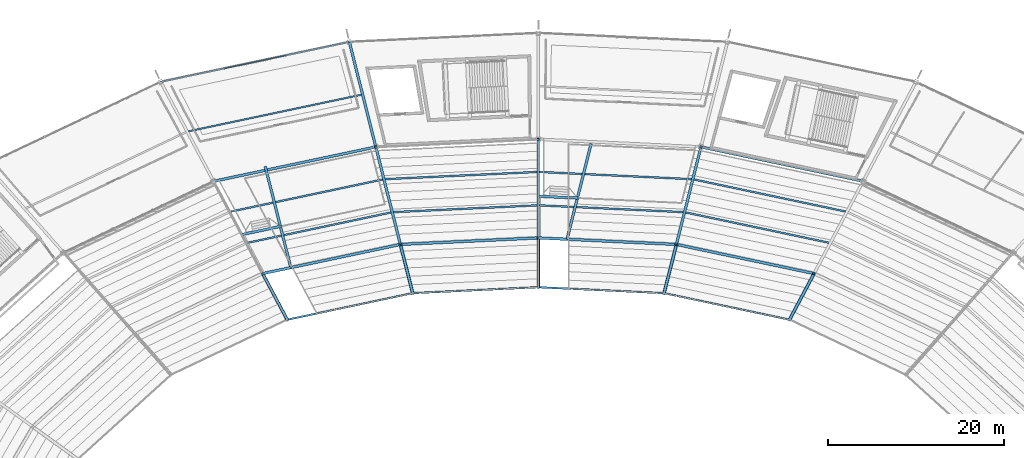
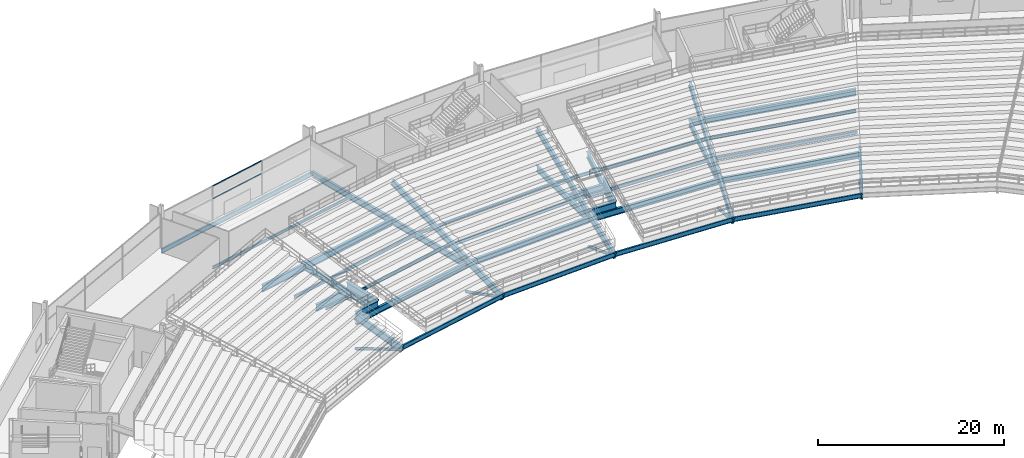
# One storey, part 95 of 186: 40 beams, 7 members, 1 element without a shape of its own.
"""IFC4 building model written with IfcOpenShell, lengths in metres."""

from ifc_helpers import new_model, si_unit, direction, frame, origin, origin_2d, place, context, subcontext, project, spatial, hollow_rectangle, hollow_circle, i_section, extrude, material, layer, layer_set, material_profile, profile_set, type_object, element, aggregate, save


model = new_model("IFC4")

# Units and contexts
model_context = context("Model", 3, precision=1e-05, world=origin(), true_north=direction((0.0, 1.0)))
body_context = subcontext(model_context, "Body", "Model", "MODEL_VIEW")
ifc_project = project(units=[si_unit("LENGTHUNIT", "METRE"), si_unit("AREAUNIT", "SQUARE_METRE"), si_unit("VOLUMEUNIT", "CUBIC_METRE"), si_unit("PLANEANGLEUNIT", "RADIAN"), si_unit("MASSUNIT", "GRAM", prefix="KILO")], contexts=[model_context])

# Site, building, storey
site_placement = place(None, origin())
site = spatial("IfcSite", under=ifc_project, at=site_placement, CompositionType="ELEMENT")
building_placement = place(site_placement, origin())
building = spatial("IfcBuilding", under=site, at=building_placement, Name="Kazemori Nagisa Stadium", CompositionType="ELEMENT")
storey_placement = place(building_placement, frame((0.0, 0.0, 20.39990234375)))
storey = spatial("IfcBuildingStorey", under=building, at=storey_placement, Name="L04", CompositionType="ELEMENT", Elevation=20.39990234375)

# Beams
ifc_material_1 = material(Name="Steel SN490B", Category="steel")
ifc_material_profile_1 = material_profile(ifc_material_1, i_section(OverallWidth=0.300048828125, OverallDepth=0.800048828125, WebThickness=0.013916015625, FlangeThickness=0.02587890625, FilletRadius=0.01806640625, at=origin_2d()), Name="H-800x300x14x26")
ifc_profile_set_1 = profile_set([ifc_material_profile_1], Name="Steel SN490B")
beam_type_1 = type_object("IfcBeamType", Name="Beam_BG-H800", PredefinedType="BEAM", material=ifc_profile_set_1)
beam_1_placement = place(storey_placement, frame((154.24755859375, 160.739013671875, -0.699951171875), z_axis=(-0.978348272746, 0.206965352692, 0.0), x_axis=(-0.206965352692, -0.978348272746, 0.0)))
element("IfcBeam", 1, at=beam_1_placement, inside=storey, type_object=beam_type_1, Name="Ring girder BG-H800 L04 R1-06", PredefinedType="BEAM", context=body_context, shape_type="SweptSolid", body=[
    extrude(i_section(OverallWidth=0.300048828125, OverallDepth=0.800048828125, WebThickness=0.013916015625, FlangeThickness=0.02587890625, FilletRadius=0.01806640625, at=origin_2d()), origin(), (0.0, 0.0, 1.0), 15.950927734375),
])
for number, where, z_axis, x_axis, name in (
    (2, (138.64208984375, 164.040283203125, -0.699951171875), (-0.998883604512, 0.047239227746, 0.0), (-0.047239227746, -0.998883604512, 0.0), "Ring girder BG-H800 L04 R1-07"),
    (3, (123.0, 164.780029296875, -0.699951171875), (-0.998883604512, -0.047239227746, 0.0), (0.047239227746, -0.998883604512, 0.0), "Ring girder BG-H800 L04 R1-08"),
):
    element("IfcBeam", number, at=place(storey_placement, frame(where, z_axis=z_axis, x_axis=x_axis)), inside=storey, type_object=beam_type_1, Name=name, PredefinedType="BEAM", context=body_context, shape_type="SweptSolid", body=[
        extrude(i_section(OverallWidth=0.300048828125, OverallDepth=0.800048828125, WebThickness=0.013916015625, FlangeThickness=0.02587890625, FilletRadius=0.01806640625, at=origin_2d()), origin(), (0.0, 0.0, 1.0), 15.65966796875),
    ])
beam_2_placement = place(storey_placement, frame((107.35791015625, 164.040283203125, -0.699951171875), z_axis=(-0.978348272746, -0.206965352692, 0.0), x_axis=(0.206965352692, -0.978348272746, 0.0)))
element("IfcBeam", 4, at=beam_2_placement, inside=storey, type_object=beam_type_1, Name="Ring girder BG-H800 L04 R1-09", PredefinedType="BEAM", context=body_context, shape_type="SweptSolid", body=[
    extrude(i_section(OverallWidth=0.300048828125, OverallDepth=0.800048828125, WebThickness=0.013916015625, FlangeThickness=0.02587890625, FilletRadius=0.01806640625, at=origin_2d()), origin(), (0.0, 0.0, 1.0), 15.950927734375),
])
beam_3_placement = place(storey_placement, frame((138.64208984375, 164.040283203125, -0.699951171875), z_axis=(0.244481205955, 0.969654031052, 0.0), x_axis=(-0.969654031052, 0.244481205955, 0.0)))
element("IfcBeam", 5, at=beam_3_placement, inside=storey, type_object=beam_type_1, Name="Radial girder BG-H800 L04 R1-R2-07", PredefinedType="BEAM", context=body_context, shape_type="SweptSolid", body=[
    extrude(i_section(OverallWidth=0.300048828125, OverallDepth=0.800048828125, WebThickness=0.013916015625, FlangeThickness=0.02587890625, FilletRadius=0.01806640625, at=origin_2d()), origin(), (0.0, 0.0, 1.0), 11.39404296875),
])
beam_4_placement = place(storey_placement, frame((123.0, 164.780029296875, -0.699951171875), z_axis=(0.0, 1.0, 0.0), x_axis=(-1.0, 0.0, 0.0)))
element("IfcBeam", 6, at=beam_4_placement, inside=storey, type_object=beam_type_1, Name="Radial girder BG-H800 L04 R1-R2-08", PredefinedType="BEAM", context=body_context, shape_type="SweptSolid", body=[
    extrude(i_section(OverallWidth=0.300048828125, OverallDepth=0.800048828125, WebThickness=0.013916015625, FlangeThickness=0.02587890625, FilletRadius=0.01806640625, at=origin_2d()), origin(), (0.0, 0.0, 1.0), 11.179931640625),
])
beam_5_placement = place(storey_placement, frame((107.35791015625, 164.040283203125, -0.699951171875), z_axis=(-0.244481205955, 0.969654031052, 0.0), x_axis=(-0.969654031052, -0.244481205955, 0.0)))
element("IfcBeam", 7, at=beam_5_placement, inside=storey, type_object=beam_type_1, Name="Radial girder BG-H800 L04 R1-R2-09", PredefinedType="BEAM", context=body_context, shape_type="SweptSolid", body=[
    extrude(i_section(OverallWidth=0.300048828125, OverallDepth=0.800048828125, WebThickness=0.013916015625, FlangeThickness=0.02587890625, FilletRadius=0.01806640625, at=origin_2d()), origin(), (0.0, 0.0, 1.0), 11.39404296875),
])
beam_6_placement = place(storey_placement, frame((104.572265625, 175.088623046875, -0.699951171875), z_axis=(-0.244487324834, 0.969652488263, 0.0), x_axis=(-0.969652488263, -0.244487324834, 0.0)))
element("IfcBeam", 8, at=beam_6_placement, inside=storey, type_object=beam_type_1, Name="Radial girder BG-H800 L04 R2-R3-09", PredefinedType="BEAM", context=body_context, shape_type="SweptSolid", body=[
    extrude(i_section(OverallWidth=0.300048828125, OverallDepth=0.800048828125, WebThickness=0.013916015625, FlangeThickness=0.02587890625, FilletRadius=0.01806640625, at=origin_2d()), origin(), (0.0, 0.0, 1.0), 12.2705078125),
])
beam_7_placement = place(storey_placement, frame((126.246337890625, 164.62646484375, -0.699951171875), z_axis=(0.24448762311, 0.969652413056, 0.0), x_axis=(-0.969652413056, 0.24448762311, 0.0)))
element("IfcBeam", 9, at=beam_7_placement, inside=storey, type_object=beam_type_1, Name="Upper vomitory radial carrier girder B07", PredefinedType="BEAM", context=body_context, shape_type="SweptSolid", body=[
    extrude(i_section(OverallWidth=0.300048828125, OverallDepth=0.800048828125, WebThickness=0.013916015625, FlangeThickness=0.02587890625, FilletRadius=0.01806640625, at=origin_2d()), origin(), (0.0, 0.0, 1.0), 11.18017578125),
])
beam_8_placement = place(storey_placement, frame((94.93212890625, 161.41162109375, -0.699951171875), z_axis=(-0.244484172786, 0.969653283013, 0.0), x_axis=(-0.969653283013, -0.244484172786, 0.0)))
element("IfcBeam", 10, at=beam_8_placement, inside=storey, type_object=beam_type_1, Name="Upper vomitory radial carrier girder B09", PredefinedType="BEAM", context=body_context, shape_type="SweptSolid", body=[
    extrude(i_section(OverallWidth=0.300048828125, OverallDepth=0.800048828125, WebThickness=0.013916015625, FlangeThickness=0.02587890625, FilletRadius=0.01806640625, at=origin_2d()), origin(), (0.0, 0.0, 1.0), 11.848388671875),
])
ifc_material_profile_2 = material_profile(ifc_material_1, i_section(OverallWidth=0.300048828125, OverallDepth=0.89990234375, WebThickness=0.01611328125, FlangeThickness=0.028076171875, FilletRadius=0.01806640625, at=origin_2d()), Name="H-900x300x16x28")
ifc_profile_set_2 = profile_set([ifc_material_profile_2], Name="Steel SN490B")
beam_type_2 = type_object("IfcBeamType", Name="Beam_BG-H900", PredefinedType="BEAM", material=ifc_profile_set_2)
for number, where, z_axis, x_axis, name in (
    (11, (159.81201171875, 171.19921875, -0.75), (-0.978345149833, 0.206980114499, 0.0), (-0.206980114499, -0.978345149833, 0.0), "Ring girder BG-H900 L04 R2-06"),
    (12, (104.572265625, 175.088623046875, -0.75), (-0.978345149833, -0.206980114499, 0.0), (0.206980114499, -0.978345149833, 0.0), "Ring girder BG-H900 L04 R2-09"),
):
    element("IfcBeam", number, at=place(storey_placement, frame(where, z_axis=z_axis, x_axis=x_axis)), inside=storey, type_object=beam_type_2, Name=name, PredefinedType="BEAM", context=body_context, shape_type="SweptSolid", body=[
        extrude(i_section(OverallWidth=0.300048828125, OverallDepth=0.89990234375, WebThickness=0.01611328125, FlangeThickness=0.028076171875, FilletRadius=0.01806640625, at=origin_2d()), origin(), (0.0, 0.0, 1.0), 18.791259765625),
    ])
ifc_material_profile_3 = material_profile(ifc_material_1, i_section(OverallWidth=0.300048828125, OverallDepth=0.89990234375, WebThickness=0.01806640625, FlangeThickness=0.031982421875, FilletRadius=0.01806640625, at=origin_2d()), Name="H-900x300x18x32")
ifc_profile_set_3 = profile_set([ifc_material_profile_3], Name="Steel SN490B")
beam_type_3 = type_object("IfcBeamType", Name="Beam_BG-TR900", PredefinedType="BEAM", material=ifc_profile_set_3)
beam_9_placement = place(storey_placement, frame((126.246337890625, 164.62646484375, 0.150146484375), z_axis=(0.244465630583, 0.969657957975, 0.0), x_axis=(-0.969657957975, 0.244465630583, 0.0)))
element("IfcBeam", 13, at=beam_9_placement, inside=storey, type_object=beam_type_3, Name="Upper vomitory left transfer girder B07", PredefinedType="BEAM", context=body_context, shape_type="SweptSolid", body=[
    extrude(i_section(OverallWidth=0.300048828125, OverallDepth=0.89990234375, WebThickness=0.01806640625, FlangeThickness=0.031982421875, FilletRadius=0.01806640625, at=origin_2d()), origin(), (0.0, 0.0, 1.0), 4.820556640625),
])
beam_10_placement = place(storey_placement, frame((127.4248046875, 169.30078125, -0.75), z_axis=(-0.998883918254, 0.047232593133, 0.0), x_axis=(-0.047232593133, -0.998883918254, 0.0)))
element("IfcBeam", 14, at=beam_10_placement, inside=storey, type_object=beam_type_3, Name="Upper vomitory portal header girder B07", PredefinedType="BEAM", context=body_context, shape_type="SweptSolid", body=[
    extrude(i_section(OverallWidth=0.300048828125, OverallDepth=0.89990234375, WebThickness=0.01806640625, FlangeThickness=0.031982421875, FilletRadius=0.01806640625, at=origin_2d()), origin(), (0.0, 0.0, 1.0), 4.4296875),
])
beam_11_placement = place(storey_placement, frame((126.246337890625, 164.62646484375, 0.150146484375), z_axis=(-0.998883044549, 0.047251066784, 0.0), x_axis=(-0.047251066784, -0.998883044549, 0.0)))
element("IfcBeam", 15, at=beam_11_placement, inside=storey, type_object=beam_type_3, Name="Upper vomitory inner sill girder B07", PredefinedType="BEAM", context=body_context, shape_type="SweptSolid", body=[
    extrude(i_section(OverallWidth=0.300048828125, OverallDepth=0.89990234375, WebThickness=0.01806640625, FlangeThickness=0.031982421875, FilletRadius=0.01806640625, at=origin_2d()), origin(), (0.0, 0.0, 1.0), 3.25),
])
beam_12_placement = place(storey_placement, frame((94.93212890625, 161.41162109375, 0.150146484375), z_axis=(-0.244465630583, 0.969657957975, 0.0), x_axis=(-0.969657957975, -0.244465630583, 0.0)))
element("IfcBeam", 16, at=beam_12_placement, inside=storey, type_object=beam_type_3, Name="Upper vomitory left transfer girder B09", PredefinedType="BEAM", context=body_context, shape_type="SweptSolid", body=[
    extrude(i_section(OverallWidth=0.300048828125, OverallDepth=0.89990234375, WebThickness=0.01806640625, FlangeThickness=0.031982421875, FilletRadius=0.01806640625, at=origin_2d()), origin(), (0.0, 0.0, 1.0), 4.820556640625),
])
beam_13_placement = place(storey_placement, frame((93.753662109375, 166.0859375, -0.75), z_axis=(-0.978347994791, -0.206966666611, 0.0), x_axis=(0.206966666611, -0.978347994791, 0.0)))
element("IfcBeam", 17, at=beam_13_placement, inside=storey, type_object=beam_type_3, Name="Upper vomitory portal header girder B09", PredefinedType="BEAM", context=body_context, shape_type="SweptSolid", body=[
    extrude(i_section(OverallWidth=0.300048828125, OverallDepth=0.89990234375, WebThickness=0.01806640625, FlangeThickness=0.031982421875, FilletRadius=0.01806640625, at=origin_2d()), origin(), (0.0, 0.0, 1.0), 4.451904296875),
])
beam_14_placement = place(storey_placement, frame((94.93212890625, 161.41162109375, 0.150146484375), z_axis=(-0.9783508731, -0.20695306015, 0.0), x_axis=(0.20695306015, -0.9783508731, 0.0)))
element("IfcBeam", 18, at=beam_14_placement, inside=storey, type_object=beam_type_3, Name="Upper vomitory inner sill girder B09", PredefinedType="BEAM", context=body_context, shape_type="SweptSolid", body=[
    extrude(i_section(OverallWidth=0.300048828125, OverallDepth=0.89990234375, WebThickness=0.01806640625, FlangeThickness=0.031982421875, FilletRadius=0.01806640625, at=origin_2d()), origin(), (0.0, 0.0, 1.0), 3.25),
])
ifc_material_profile_4 = material_profile(ifc_material_1, i_section(OverallWidth=0.175048828125, OverallDepth=0.35009765625, WebThickness=0.007080078125, FlangeThickness=0.010986328125, FilletRadius=0.012939453125, at=origin_2d()), Name="H-350x175x7x11")
ifc_profile_set_4 = profile_set([ifc_material_profile_4], Name="Steel SN490B")
beam_type_4 = type_object("IfcBeamType", Name="Beam_BJ-H350", PredefinedType="JOIST", material=ifc_profile_set_4)
beam_15_placement = place(storey_placement, frame((102.930419921875, 181.0078125, -0.474853515625), z_axis=(-0.978344719644, -0.20698214789, 0.0), x_axis=(0.20698214789, -0.978344719644, 0.0)))
element("IfcBeam", 19, at=beam_15_placement, inside=storey, type_object=beam_type_4, Name="Outer bay joist BJ-H350 L04 B09", PredefinedType="JOIST", context=body_context, shape_type="SweptSolid", body=[
    extrude(i_section(OverallWidth=0.175048828125, OverallDepth=0.35009765625, WebThickness=0.007080078125, FlangeThickness=0.010986328125, FilletRadius=0.012939453125, at=origin_2d()), origin(), (0.0, 0.0, 1.0), 20.03076171875),
])
ifc_material_profile_5 = material_profile(ifc_material_1, i_section(OverallWidth=0.199951171875, OverallDepth=0.39990234375, WebThickness=0.008056640625, FlangeThickness=0.012939453125, FilletRadius=0.012939453125, at=origin_2d()), Name="H-400x200x8x13")
ifc_profile_set_5 = profile_set([ifc_material_profile_5], Name="Steel SN490B")
beam_type_5 = type_object("IfcBeamType", Name="Beam_BJ-H400", PredefinedType="JOIST", material=ifc_profile_set_5)
beam_16_placement = place(storey_placement, frame((155.9462890625, 164.228759765625, -0.5), z_axis=(-0.978343632453, 0.206987286659, 0.0), x_axis=(-0.206987286659, -0.978343632453, 0.0)))
element("IfcBeam", 20, at=beam_16_placement, inside=storey, type_object=beam_type_5, Name="Concourse joist BJ-H400 L04 B06-1", PredefinedType="JOIST", context=body_context, shape_type="SweptSolid", body=[
    extrude(i_section(OverallWidth=0.199951171875, OverallDepth=0.39990234375, WebThickness=0.008056640625, FlangeThickness=0.012939453125, FilletRadius=0.012939453125, at=origin_2d()), origin(), (0.0, 0.0, 1.0), 16.600341796875),
])
beam_17_placement = place(storey_placement, frame((157.82958984375, 167.769287109375, -0.5), z_axis=(-0.978344127253, 0.206984947931, 0.0), x_axis=(-0.206984947931, -0.978344127253, 0.0)))
element("IfcBeam", 21, at=beam_17_placement, inside=storey, type_object=beam_type_5, Name="Concourse joist BJ-H400 L04 B06-2", PredefinedType="JOIST", context=body_context, shape_type="SweptSolid", body=[
    extrude(i_section(OverallWidth=0.199951171875, OverallDepth=0.39990234375, WebThickness=0.008056640625, FlangeThickness=0.012939453125, FilletRadius=0.012939453125, at=origin_2d()), origin(), (0.0, 0.0, 1.0), 17.561767578125),
])
beam_18_placement = place(storey_placement, frame((139.418701171875, 167.70166015625, -0.5), z_axis=(-0.998883881507, 0.047233370256, 0.0), x_axis=(-0.047233370256, -0.998883881507, 0.0)))
element("IfcBeam", 22, at=beam_18_placement, inside=storey, type_object=beam_type_5, Name="Concourse joist BJ-H400 L04 B07-1", PredefinedType="JOIST", context=body_context, shape_type="SweptSolid", body=[
    extrude(i_section(OverallWidth=0.199951171875, OverallDepth=0.39990234375, WebThickness=0.008056640625, FlangeThickness=0.012939453125, FilletRadius=0.012939453125, at=origin_2d()), origin(), (0.0, 0.0, 1.0), 16.2919921875),
])
beam_19_placement = place(storey_placement, frame((140.361572265625, 171.441162109375, -0.5), z_axis=(-0.998884295209, 0.047224620536, 0.0), x_axis=(-0.047224620536, -0.998884295209, 0.0)))
element("IfcBeam", 23, at=beam_19_placement, inside=storey, type_object=beam_type_5, Name="Concourse joist BJ-H400 L04 B07-2", PredefinedType="JOIST", context=body_context, shape_type="SweptSolid", body=[
    extrude(i_section(OverallWidth=0.199951171875, OverallDepth=0.39990234375, WebThickness=0.008056640625, FlangeThickness=0.012939453125, FilletRadius=0.012939453125, at=origin_2d()), origin(), (0.0, 0.0, 1.0), 17.236083984375),
])
beam_20_placement = place(storey_placement, frame((122.855224609375, 168.47119140625, -0.5), z_axis=(-0.998883881507, -0.047233370256, 0.0), x_axis=(0.047233370256, -0.998883881507, 0.0)))
element("IfcBeam", 24, at=beam_20_placement, inside=storey, type_object=beam_type_5, Name="Concourse joist BJ-H400 L04 B08-1", PredefinedType="JOIST", context=body_context, shape_type="SweptSolid", body=[
    extrude(i_section(OverallWidth=0.199951171875, OverallDepth=0.39990234375, WebThickness=0.008056640625, FlangeThickness=0.012939453125, FilletRadius=0.012939453125, at=origin_2d()), origin(), (0.0, 0.0, 1.0), 16.2919921875),
])
beam_21_placement = place(storey_placement, frame((122.855224609375, 172.255126953125, -0.5), z_axis=(-0.998884295209, -0.047224620536, 0.0), x_axis=(0.047224620536, -0.998884295209, 0.0)))
element("IfcBeam", 25, at=beam_21_placement, inside=storey, type_object=beam_type_5, Name="Concourse joist BJ-H400 L04 B08-2", PredefinedType="JOIST", context=body_context, shape_type="SweptSolid", body=[
    extrude(i_section(OverallWidth=0.199951171875, OverallDepth=0.39990234375, WebThickness=0.008056640625, FlangeThickness=0.012939453125, FilletRadius=0.012939453125, at=origin_2d()), origin(), (0.0, 0.0, 1.0), 17.236083984375),
])
beam_22_placement = place(storey_placement, frame((106.29443359375, 167.664794921875, -0.5), z_axis=(-0.978343632453, -0.206987286659, 0.0), x_axis=(0.206987286659, -0.978343632453, 0.0)))
element("IfcBeam", 26, at=beam_22_placement, inside=storey, type_object=beam_type_5, Name="Concourse joist BJ-H400 L04 B09-1", PredefinedType="JOIST", context=body_context, shape_type="SweptSolid", body=[
    extrude(i_section(OverallWidth=0.199951171875, OverallDepth=0.39990234375, WebThickness=0.008056640625, FlangeThickness=0.012939453125, FilletRadius=0.012939453125, at=origin_2d()), origin(), (0.0, 0.0, 1.0), 16.600341796875),
])
beam_23_placement = place(storey_placement, frame((105.351806640625, 171.404296875, -0.5), z_axis=(-0.978344127253, -0.206984947931, 0.0), x_axis=(0.206984947931, -0.978344127253, 0.0)))
element("IfcBeam", 27, at=beam_23_placement, inside=storey, type_object=beam_type_5, Name="Concourse joist BJ-H400 L04 B09-2", PredefinedType="JOIST", context=body_context, shape_type="SweptSolid", body=[
    extrude(i_section(OverallWidth=0.199951171875, OverallDepth=0.39990234375, WebThickness=0.008056640625, FlangeThickness=0.012939453125, FilletRadius=0.012939453125, at=origin_2d()), origin(), (0.0, 0.0, 1.0), 17.561767578125),
])
ifc_material_profile_6 = material_profile(ifc_material_1, i_section(OverallWidth=0.199951171875, OverallDepth=0.60009765625, WebThickness=0.010986328125, FlangeThickness=0.01708984375, FilletRadius=0.012939453125, at=origin_2d()), Name="H-600x200x11x17")
ifc_profile_set_6 = profile_set([ifc_material_profile_6], Name="Steel SN490B")
beam_type_6 = type_object("IfcBeamType", Name="Beam_BS-H600", PredefinedType="SPANDREL", material=ifc_profile_set_6)
beam_24_placement = place(storey_placement, frame((101.572265625, 186.98681640625, -0.599853515625), z_axis=(-0.97834587432, -0.206976689994, 0.0), x_axis=(0.206976689994, -0.97834587432, 0.0)))
element("IfcBeam", 28, at=beam_24_placement, inside=storey, type_object=beam_type_6, Name="Ring girder BS-H600 L04 R3-09", PredefinedType="SPANDREL", context=body_context, shape_type="SweptSolid", body=[
    extrude(i_section(OverallWidth=0.199951171875, OverallDepth=0.60009765625, WebThickness=0.010986328125, FlangeThickness=0.01708984375, FilletRadius=0.012939453125, at=origin_2d()), origin(), (0.0, 0.0, 1.0), 21.85009765625),
])
beam_25_placement = place(storey_placement, frame((151.465087890625, 155.5087890625, -1.885009765625), z_axis=(-0.978343749073, 0.206986735446, 0.0), x_axis=(-0.206986735446, -0.978343749073, 0.0)))
element("IfcBeam", 29, at=beam_25_placement, inside=storey, type_object=beam_type_6, Name="Upper tier front ring beam 06", PredefinedType="SPANDREL", context=body_context, shape_type="SweptSolid", body=[
    extrude(i_section(OverallWidth=0.199951171875, OverallDepth=0.60009765625, WebThickness=0.010986328125, FlangeThickness=0.01708984375, FilletRadius=0.012939453125, at=origin_2d()), origin(), (0.0, 0.0, 1.0), 14.5302734375),
])
for number, where, z_axis, x_axis, name in (
    (30, (137.24951171875, 158.516357421875, -1.885009765625), (-0.998884610737, 0.047217946082, 0.0), (-0.047217946082, -0.998884610737, 0.0), "Upper tier front ring beam 07"),
    (31, (123.0, 159.18994140625, -1.885009765625), (-0.998884610737, -0.047217946082, 0.0), (0.047217946082, -0.998884610737, 0.0), "Upper tier front ring beam 08"),
):
    element("IfcBeam", number, at=place(storey_placement, frame(where, z_axis=z_axis, x_axis=x_axis)), inside=storey, type_object=beam_type_6, Name=name, PredefinedType="SPANDREL", context=body_context, shape_type="SweptSolid", body=[
        extrude(i_section(OverallWidth=0.199951171875, OverallDepth=0.60009765625, WebThickness=0.010986328125, FlangeThickness=0.01708984375, FilletRadius=0.012939453125, at=origin_2d()), origin(), (0.0, 0.0, 1.0), 14.265380859375),
    ])
beam_26_placement = place(storey_placement, frame((108.75048828125, 158.516357421875, -1.885009765625), z_axis=(-0.978343749073, -0.206986735446, 0.0), x_axis=(0.206986735446, -0.978343749073, 0.0)))
element("IfcBeam", 32, at=beam_26_placement, inside=storey, type_object=beam_type_6, Name="Upper tier front ring beam 09", PredefinedType="SPANDREL", context=body_context, shape_type="SweptSolid", body=[
    extrude(i_section(OverallWidth=0.199951171875, OverallDepth=0.60009765625, WebThickness=0.010986328125, FlangeThickness=0.01708984375, FilletRadius=0.012939453125, at=origin_2d()), origin(), (0.0, 0.0, 1.0), 14.5302734375),
])
ifc_material_profile_7 = material_profile(ifc_material_1, i_section(OverallWidth=0.300048828125, OverallDepth=0.800048828125, WebThickness=0.013916015625, FlangeThickness=0.02587890625, FilletRadius=0.01806640625, at=origin_2d()), Name="H-800x300x14x26")
ifc_profile_set_7 = profile_set([ifc_material_profile_7], Name="Steel SN490B")
beam_type_7 = type_object("IfcBeamType", Name="Beam_RK-ST800", PredefinedType="USERDEFINED", material=ifc_profile_set_7)
beam_27_placement = place(storey_placement, frame((138.64208984375, 164.040283203125, 0.02001953125), z_axis=(0.227863469401, 0.903745262427, 0.362384795421), x_axis=(-0.969654031052, 0.244481205955, 0.0)))
element("IfcBeam", 33, at=beam_27_placement, inside=storey, type_object=beam_type_7, Name="Raker beam upper backspan RK3-07B", ObjectType="RAKER BEAM", PredefinedType="USERDEFINED", context=body_context, shape_type="SweptSolid", body=[
    extrude(i_section(OverallWidth=0.300048828125, OverallDepth=0.800048828125, WebThickness=0.013916015625, FlangeThickness=0.02587890625, FilletRadius=0.01806640625, at=origin_2d()), origin(), (0.0, 0.0, 1.0), 12.22509765625),
])
beam_28_placement = place(storey_placement, frame((123.0, 164.780029296875, 0.02001953125), z_axis=(0.0, 0.929670349786, 0.368392509056), x_axis=(-1.0, 0.0, 0.0)))
element("IfcBeam", 34, at=beam_28_placement, inside=storey, type_object=beam_type_7, Name="Raker beam upper backspan RK3-08B", ObjectType="RAKER BEAM", PredefinedType="USERDEFINED", context=body_context, shape_type="SweptSolid", body=[
    extrude(i_section(OverallWidth=0.300048828125, OverallDepth=0.800048828125, WebThickness=0.013916015625, FlangeThickness=0.02587890625, FilletRadius=0.01806640625, at=origin_2d()), origin(), (0.0, 0.0, 1.0), 12.025634765625),
])
beam_29_placement = place(storey_placement, frame((107.35791015625, 164.040283203125, 0.02001953125), z_axis=(-0.227863469401, 0.903745262427, 0.362384795421), x_axis=(-0.969654031052, -0.244481205955, 0.0)))
element("IfcBeam", 35, at=beam_29_placement, inside=storey, type_object=beam_type_7, Name="Raker beam upper backspan RK3-09B", ObjectType="RAKER BEAM", PredefinedType="USERDEFINED", context=body_context, shape_type="SweptSolid", body=[
    extrude(i_section(OverallWidth=0.300048828125, OverallDepth=0.800048828125, WebThickness=0.013916015625, FlangeThickness=0.02587890625, FilletRadius=0.01806640625, at=origin_2d()), origin(), (0.0, 0.0, 1.0), 12.22509765625),
])
ifc_material_profile_8 = material_profile(ifc_material_1, i_section(OverallWidth=0.300048828125, OverallDepth=0.89990234375, WebThickness=0.01611328125, FlangeThickness=0.028076171875, FilletRadius=0.01806640625, at=origin_2d()), Name="H-900x300x16x28")
ifc_profile_set_8 = profile_set([ifc_material_profile_8], Name="Steel SN490B")
beam_type_8 = type_object("IfcBeamType", Name="Beam_RK-ST900", PredefinedType="USERDEFINED", material=ifc_profile_set_8)
beam_30_placement = place(storey_placement, frame((151.465087890625, 155.5087890625, -2.14990234375), z_axis=(0.441018272718, 0.828984334161, 0.343930017366), x_axis=(-0.882841850635, 0.469670380978, 0.0)))
element("IfcBeam", 36, at=beam_30_placement, inside=storey, type_object=beam_type_8, Name="Raker beam upper cantilever RK3-06A", ObjectType="RAKER BEAM", PredefinedType="USERDEFINED", context=body_context, shape_type="SweptSolid", body=[
    extrude(i_section(OverallWidth=0.300048828125, OverallDepth=0.89990234375, WebThickness=0.01611328125, FlangeThickness=0.028076171875, FilletRadius=0.01806640625, at=origin_2d()), origin(), (0.0, 0.0, 1.0), 6.30908203125),
])
beam_31_placement = place(storey_placement, frame((137.24951171875, 158.516357421875, -2.14990234375), z_axis=(0.22844014143, 0.906151234222, 0.355956517712), x_axis=(-0.969661628586, 0.244451070868, 0.0)))
element("IfcBeam", 37, at=beam_31_placement, inside=storey, type_object=beam_type_8, Name="Raker beam upper cantilever RK3-07A", ObjectType="RAKER BEAM", PredefinedType="USERDEFINED", context=body_context, shape_type="SweptSolid", body=[
    extrude(i_section(OverallWidth=0.300048828125, OverallDepth=0.89990234375, WebThickness=0.01611328125, FlangeThickness=0.028076171875, FilletRadius=0.01806640625, at=origin_2d()), origin(), (0.0, 0.0, 1.0), 6.095947265625),
])
beam_32_placement = place(storey_placement, frame((123.0, 159.18994140625, -2.14990234375), z_axis=(0.0, 0.932229892227, 0.361866588728), x_axis=(-1.0, 0.0, 0.0)))
element("IfcBeam", 38, at=beam_32_placement, inside=storey, type_object=beam_type_8, Name="Raker beam upper cantilever RK3-08A", ObjectType="RAKER BEAM", PredefinedType="USERDEFINED", context=body_context, shape_type="SweptSolid", body=[
    extrude(i_section(OverallWidth=0.300048828125, OverallDepth=0.89990234375, WebThickness=0.01611328125, FlangeThickness=0.028076171875, FilletRadius=0.01806640625, at=origin_2d()), origin(), (0.0, 0.0, 1.0), 5.99658203125),
])
beam_33_placement = place(storey_placement, frame((108.75048828125, 158.516357421875, -2.14990234375), z_axis=(-0.22844014143, 0.906151234222, 0.355956517712), x_axis=(-0.969661628586, -0.244451070868, 0.0)))
element("IfcBeam", 39, at=beam_33_placement, inside=storey, type_object=beam_type_8, Name="Raker beam upper cantilever RK3-09A", ObjectType="RAKER BEAM", PredefinedType="USERDEFINED", context=body_context, shape_type="SweptSolid", body=[
    extrude(i_section(OverallWidth=0.300048828125, OverallDepth=0.89990234375, WebThickness=0.01611328125, FlangeThickness=0.028076171875, FilletRadius=0.01806640625, at=origin_2d()), origin(), (0.0, 0.0, 1.0), 6.095947265625),
])
beam_34_placement = place(storey_placement, frame((94.534912109375, 155.5087890625, -2.14990234375), z_axis=(-0.441018272718, 0.828984334161, 0.343930017366), x_axis=(-0.882841850635, -0.469670380978, 0.0)))
element("IfcBeam", 40, at=beam_34_placement, inside=storey, type_object=beam_type_8, Name="Raker beam upper cantilever RK3-10A", ObjectType="RAKER BEAM", PredefinedType="USERDEFINED", context=body_context, shape_type="SweptSolid", body=[
    extrude(i_section(OverallWidth=0.300048828125, OverallDepth=0.89990234375, WebThickness=0.01611328125, FlangeThickness=0.028076171875, FilletRadius=0.01806640625, at=origin_2d()), origin(), (0.0, 0.0, 1.0), 6.30908203125),
])

# Members
ifc_material_2 = material(Name="Steel STK490", Category="steel")
ifc_material_profile_9 = material_profile(ifc_material_2, hollow_circle(Radius=0.177734375, WallThickness=0.0126953125, at=origin_2d()), Name="CHS-355.6x12.7")
ifc_profile_set_9 = profile_set([ifc_material_profile_9], Name="Steel STK490")
member_type_1 = type_object("IfcMemberType", Name="Member_TB-CHS355", PredefinedType="BRACE", material=ifc_profile_set_9)
member_1_placement = place(storey_placement, frame((154.24755859375, 160.739013671875, -4.25), z_axis=(-0.442679245827, -0.832106473927, 0.334116598456), x_axis=(0.882841850635, -0.469670380978, 0.0)))
element("IfcMember", 41, at=member_1_placement, inside=storey, type_object=member_type_1, Name="Upper tier cantilever truss strut UT-06", PredefinedType="BRACE", context=body_context, shape_type="SweptSolid", body=[
    extrude(hollow_circle(Radius=0.177734375, WallThickness=0.0126953125, at=origin_2d()), origin(), (0.0, 0.0, 1.0), 6.28564453125),
])
member_2_placement = place(storey_placement, frame((138.64208984375, 164.040283203125, -4.25), z_axis=(-0.229362090692, -0.909808321179, 0.345892830318), x_axis=(0.969661628586, -0.244451070868, 0.0)))
element("IfcMember", 42, at=member_2_placement, inside=storey, type_object=member_type_1, Name="Upper tier cantilever truss strut UT-07", PredefinedType="BRACE", context=body_context, shape_type="SweptSolid", body=[
    extrude(hollow_circle(Radius=0.177734375, WallThickness=0.0126953125, at=origin_2d()), origin(), (0.0, 0.0, 1.0), 6.071533203125),
])
member_3_placement = place(storey_placement, frame((123.0, 164.780029296875, -4.25), z_axis=(0.0, -0.936118989966, 0.351683432401), x_axis=(1.0, 0.0, 0.0)))
element("IfcMember", 43, at=member_3_placement, inside=storey, type_object=member_type_1, Name="Upper tier cantilever truss strut UT-08", PredefinedType="BRACE", context=body_context, shape_type="SweptSolid", body=[
    extrude(hollow_circle(Radius=0.177734375, WallThickness=0.0126953125, at=origin_2d()), origin(), (0.0, 0.0, 1.0), 5.971435546875),
])
member_4_placement = place(storey_placement, frame((107.35791015625, 164.040283203125, -4.25), z_axis=(0.229362090692, -0.909808321179, 0.345892830318), x_axis=(0.969661628586, 0.244451070868, 0.0)))
element("IfcMember", 44, at=member_4_placement, inside=storey, type_object=member_type_1, Name="Upper tier cantilever truss strut UT-09", PredefinedType="BRACE", context=body_context, shape_type="SweptSolid", body=[
    extrude(hollow_circle(Radius=0.177734375, WallThickness=0.0126953125, at=origin_2d()), origin(), (0.0, 0.0, 1.0), 6.071533203125),
])
member_5_placement = place(storey_placement, frame((91.75244140625, 160.739013671875, -4.25), z_axis=(0.442679245827, -0.832106473927, 0.334116598456), x_axis=(0.882841850635, 0.469670380978, 0.0)))
element("IfcMember", 45, at=member_5_placement, inside=storey, type_object=member_type_1, Name="Upper tier cantilever truss strut UT-10", PredefinedType="BRACE", context=body_context, shape_type="SweptSolid", body=[
    extrude(hollow_circle(Radius=0.177734375, WallThickness=0.0126953125, at=origin_2d()), origin(), (0.0, 0.0, 1.0), 6.28564453125),
])

# Curtain wall, members
ifc_material_3 = material(Name="Anodised aluminium 6063-T5", Category="aluminium")
ifc_layer = layer(ifc_material_3, 0.179931640625, Name="Anodised aluminium 6063-T5", Category="aluminium")
ifc_layer_set = layer_set([ifc_layer], Name="Anodised aluminium 6063-T5")
curtain_wall_type = type_object("IfcCurtainWallType", Name="CW_L04R3_107", PredefinedType="USERDEFINED", material=ifc_layer_set)
curtain_wall_placement = place(storey_placement, origin())
curtain_wall = element("IfcCurtainWall", 46, at=curtain_wall_placement, inside=storey, type_object=curtain_wall_type, Name="Unitised curtain wall CW-L04R3-107 L04", ObjectType="UNITISED CURTAIN WALL", PredefinedType="USERDEFINED")
ifc_material_4 = material(Name="Aluminium 6063-T5 anodised", Category="aluminium")
ifc_material_profile_10 = material_profile(ifc_material_4, hollow_rectangle(XDim=0.070068359375, YDim=0.139892578125, WallThickness=0.00390625, at=origin_2d()), Name="ALU-TRAN-70x140x4")
ifc_profile_set_10 = profile_set([ifc_material_profile_10], Name="Aluminium 6063-T5 anodised")
member_type_2 = type_object("IfcMemberType", Name="Transom_T01", PredefinedType="USERDEFINED", material=ifc_profile_set_10)
member_6_placement = place(storey_placement, frame((94.343994140625, 185.45751953125, 2.80859375), z_axis=(-0.978344595915, -0.206982732721, 0.0), x_axis=(0.206982732721, -0.978344595915, 0.0)))
member_6 = element("IfcMember", 47, at=member_6_placement, type_object=member_type_2, Name="Curtain wall transom CW-L04R3-107-T2-mid", ObjectType="TRANSOM", PredefinedType="USERDEFINED", context=body_context, shape_type="SweptSolid", body=[
    extrude(hollow_rectangle(XDim=0.070068359375, YDim=0.139892578125, WallThickness=0.00390625, at=origin_2d()), origin(), (0.0, 0.0, 1.0), 7.073486328125),
])
member_7_placement = place(storey_placement, frame((94.343994140625, 185.45751953125, 4.460205078125), z_axis=(-0.978344595915, -0.206982732721, 0.0), x_axis=(0.206982732721, -0.978344595915, 0.0)))
member_7 = element("IfcMember", 48, at=member_7_placement, type_object=member_type_2, Name="Curtain wall transom CW-L04R3-107-T2-head", ObjectType="TRANSOM", PredefinedType="USERDEFINED", context=body_context, shape_type="SweptSolid", body=[
    extrude(hollow_rectangle(XDim=0.070068359375, YDim=0.139892578125, WallThickness=0.00390625, at=origin_2d()), origin(), (0.0, 0.0, 1.0), 7.073486328125),
])
aggregate(curtain_wall, [member_6, member_7])

save(model, "model.ifc")
